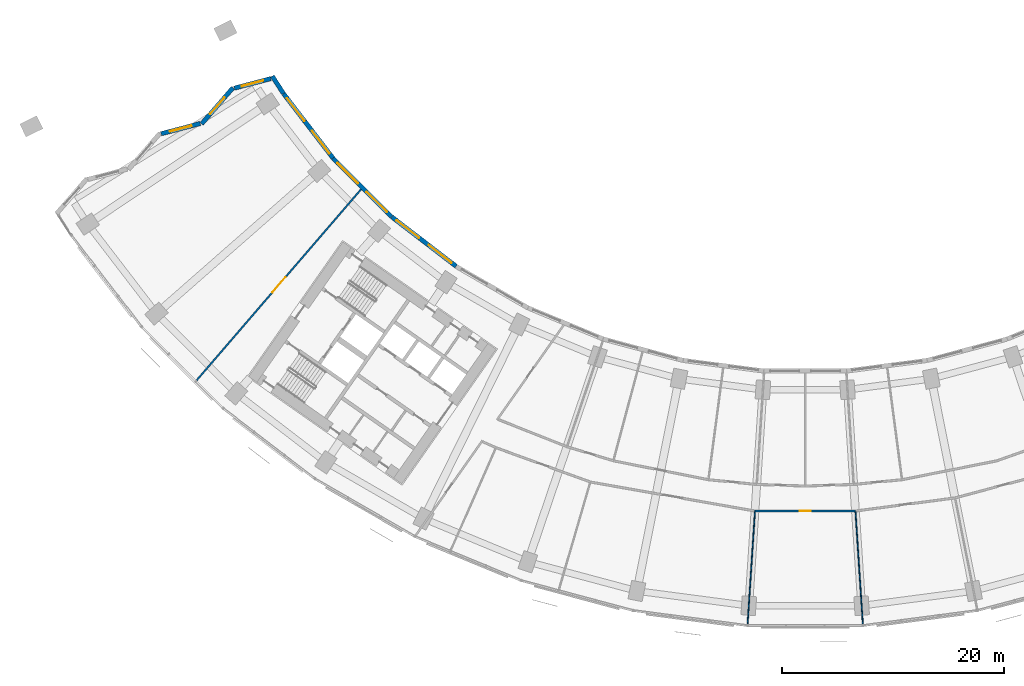
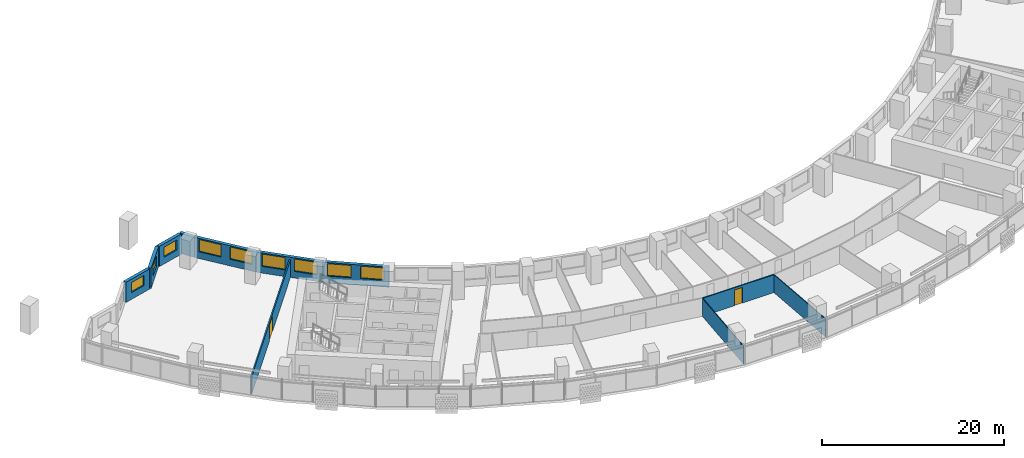
# One storey, part 5 of 31: 11 walls, 9 windows, 2 doors, 11 openings.
"""IFC4 building model written with IfcOpenShell, lengths in metres."""

from ifc_helpers import new_model, si_unit, direction, frame, frame_2d, origin, place, context, subcontext, project, spatial, rectangle, extrude, material, layer, layer_set, type_object, element, fill, save


model = new_model("IFC4")

# Units and contexts
model_context = context("Model", 3, precision=1e-05, world=origin(), true_north=direction((0.0, 1.0)))
body_context = subcontext(model_context, "Body", "Model", "MODEL_VIEW")
ifc_project = project(units=[si_unit("LENGTHUNIT", "METRE"), si_unit("AREAUNIT", "SQUARE_METRE"), si_unit("VOLUMEUNIT", "CUBIC_METRE"), si_unit("PLANEANGLEUNIT", "RADIAN"), si_unit("MASSUNIT", "GRAM", prefix="KILO")], contexts=[model_context])

# Site, building, storey
site_placement = place(None, origin())
site = spatial("IfcSite", under=ifc_project, at=site_placement, CompositionType="ELEMENT")
building_placement = place(site_placement, origin())
building = spatial("IfcBuilding", under=site, at=building_placement, Name="Qamariyya Broadcast Tower", CompositionType="ELEMENT")
storey_placement = place(building_placement, frame((0.0, 0.0, 59.5)))
storey = spatial("IfcBuildingStorey", under=building, at=storey_placement, Name="L11", CompositionType="ELEMENT", Elevation=59.5)

# Wall, opening, door
ifc_material_1 = material(Name="Gypsum board partition")
ifc_layer_1 = layer(ifc_material_1, 0.14990234375)
ifc_layer_set_1 = layer_set([ifc_layer_1], Name="Corridor partition 150 EI 60")
wall_type_1 = type_object("IfcWallType", Name="Corridor partition 150 EI 60", PredefinedType="PARTITIONING", material=ifc_layer_set_1)
wall_1_placement = place(storey_placement, frame((-54.842041015625, -57.27685546875, 0.0), z_axis=(0.0, 0.0, 1.0), x_axis=(0.652471531746, 0.757813235739, 0.0)))
wall_1 = element("IfcWall", 1, at=wall_1_placement, inside=storey, type_object=wall_type_1, Name="Partition L11-001", PredefinedType="PARTITIONING", context=body_context, shape_type="SweptSolid", body=[
    extrude(rectangle(XDim=22.71484375, YDim=0.14990234375, at=frame_2d((11.357421875, 0.0))), origin(), (0.0, 0.0, 1.0), 2.39990234375),
])
opening_1_placement = place(wall_1_placement, frame((10.45751953125, 0.0, 0.0)))
opening_1 = element("IfcOpeningElement", 2, at=opening_1_placement, cuts=wall_1, Name="Opening L11-D16", PredefinedType="OPENING", context=body_context, shape_type="SweptSolid", body=[
    extrude(rectangle(XDim=1.800048828125, YDim=2.10009765625, at=frame_2d((0.89990234375, 1.050048828125))), frame((0.0, 0.0849609375, 0.0), z_axis=(0.0, -1.0, 0.0), x_axis=(1.0, 0.0, 0.0)), (0.0, 0.0, 1.0), 0.169921875),
])
ifc_material_2 = material(Name="Timber fire door leaf", Category="wood")
door_type_1 = type_object("IfcDoorType", Name="Double fire door 1800 x 2100 FD60", OperationType="NOTDEFINED", PredefinedType="DOOR", material=ifc_material_2)
door_1_placement = place(opening_1_placement, origin())
door_1 = element("IfcDoor", 3, at=door_1_placement, inside=storey, type_object=door_type_1, Name="Door L11-D16", OperationType="DOUBLE_DOOR_SINGLE_SWING", OverallHeight=2.10009765625, OverallWidth=1.800048828125, PredefinedType="DOOR", context=body_context, shape_type="SweptSolid", body=[
    extrude(rectangle(XDim=1.800048828125, YDim=2.10009765625, at=frame_2d((0.89990234375, 1.050048828125))), frame((0.0, 0.02490234375, 0.0), z_axis=(0.0, -1.0, 0.0), x_axis=(1.0, 0.0, 0.0)), (0.0, 0.0, 1.0), 0.050048828125),
])
fill(opening_1, door_1)

wall_2_placement = place(storey_placement, frame((4.52587890625, -69.0517578125, 0.0), z_axis=(0.0, 0.0, 1.0), x_axis=(-1.0, 0.0, 0.0)))
wall_2 = element("IfcWall", 4, at=wall_2_placement, inside=storey, type_object=wall_type_1, Name="Partition L11-017", PredefinedType="PARTITIONING", context=body_context, shape_type="SweptSolid", body=[
    extrude(rectangle(XDim=9.0517578125, YDim=0.14990234375, at=frame_2d((4.52587890625, 0.0))), origin(), (0.0, 0.0, 1.0), 2.39990234375),
])
opening_2_placement = place(wall_2_placement, frame((4.02587890625, 0.0, 0.0)))
opening_2 = element("IfcOpeningElement", 5, at=opening_2_placement, cuts=wall_2, Name="Opening L11-D04", PredefinedType="OPENING", context=body_context, shape_type="SweptSolid", body=[
    extrude(rectangle(XDim=1.0, YDim=2.10009765625, at=frame_2d((0.5, 1.050048828125))), frame((0.0, 0.0849609375, 0.0), z_axis=(0.0, -1.0, 0.0), x_axis=(1.0, 0.0, 0.0)), (0.0, 0.0, 1.0), 0.169921875),
])
door_type_2 = type_object("IfcDoorType", Name="Fire door 1000 x 2100 FD60", OperationType="NOTDEFINED", PredefinedType="DOOR", material=ifc_material_2)
door_2_placement = place(opening_2_placement, origin())
door_2 = element("IfcDoor", 6, at=door_2_placement, inside=storey, type_object=door_type_2, Name="Door L11-D04", OperationType="SINGLE_SWING_RIGHT", OverallHeight=2.10009765625, OverallWidth=1.0, PredefinedType="DOOR", context=body_context, shape_type="SweptSolid", body=[
    extrude(rectangle(XDim=1.0, YDim=2.10009765625, at=frame_2d((0.5, 1.050048828125))), frame((0.0, 0.02490234375, 0.0), z_axis=(0.0, -1.0, 0.0), x_axis=(1.0, 0.0, 0.0)), (0.0, 0.0, 1.0), 0.050048828125),
])
fill(opening_2, door_2)

# Walls
ifc_layer_2 = layer(ifc_material_1, 0.10009765625)
ifc_layer_set_2 = layer_set([ifc_layer_2], Name="Partition 100")
wall_type_2 = type_object("IfcWallType", Name="Partition 100", PredefinedType="PARTITIONING", material=ifc_layer_set_2)
for number, where, z_axis, x_axis, name in (
    (7, (-5.1962890625, -79.27978515625, 0.0), (0.0, 0.0, 1.0), (0.065408959123, 0.99785854111, 0.0), "Partition L11-016"),
    (8, (5.1962890625, -79.27978515625, 0.0), (0.0, 0.0, 1.0), (-0.065408959123, 0.99785854111, 0.0), "Partition L11-025"),
):
    element("IfcWall", number, at=place(storey_placement, frame(where, z_axis=z_axis, x_axis=x_axis)), inside=storey, type_object=wall_type_2, Name=name, PredefinedType="PARTITIONING", context=body_context, shape_type="SweptSolid", body=[
        extrude(rectangle(XDim=10.1748046875, YDim=0.10009765625, at=frame_2d((5.08740234375, 0.0))), origin(), (0.0, 0.0, 1.0), 2.39990234375),
    ])

# Wall, opening, window
ifc_material_3 = material(Name="Terracotta", Category="masonry")
ifc_layer_3 = layer(ifc_material_3, 0.39990234375)
ifc_layer_set_3 = layer_set([ifc_layer_3], Name="Terracotta clad wall 400")
wall_type_3 = type_object("IfcWallType", Name="Terracotta clad wall 400", PredefinedType="SOLIDWALL", material=ifc_layer_set_3)
wall_3_placement = place(storey_placement, frame((-48.160400390625, -30.0859375, 0.0), z_axis=(0.0, 0.0, 1.0), x_axis=(-0.967281071353, -0.25370717176, 0.0)))
wall_3 = element("IfcWall", 9, at=wall_3_placement, inside=storey, type_object=wall_type_3, Name="e-wl-L11-capW0", PredefinedType="SOLIDWALL", context=body_context, shape_type="SweptSolid", body=[
    extrude(rectangle(XDim=3.39404296875, YDim=0.39990234375, at=frame_2d((1.697021484375, 0.0))), origin(), (0.0, 0.0, 1.0), 2.699951171875),
])
opening_3_placement = place(wall_3_placement, frame((0.697021484375, 0.0, 0.89990234375)))
opening_3 = element("IfcOpeningElement", 10, at=opening_3_placement, cuts=wall_3, Name="Opening W4", PredefinedType="OPENING", context=body_context, shape_type="SweptSolid", body=[
    extrude(rectangle(XDim=2.0, YDim=1.35009765625, at=frame_2d((1.0, 0.675048828125))), frame((0.0, 0.2099609375, 0.0), z_axis=(0.0, -1.0, 0.0), x_axis=(1.0, 0.0, 0.0)), (0.0, 0.0, 1.0), 0.419921875),
])
ifc_material_4 = material(Name="Clear low-e double glazed unit in aluminium frame", Category="aluminium")
window_type_1 = type_object("IfcWindowType", Name="Horn bay window 2000 x 1350", PartitioningType="SINGLE_PANEL", PredefinedType="WINDOW", material=ifc_material_4)
window_1_placement = place(opening_3_placement, origin())
window_1 = element("IfcWindow", 11, at=window_1_placement, inside=storey, type_object=window_type_1, Name="e-w-L11-capW0", OverallHeight=1.35009765625, OverallWidth=2.0, PartitioningType="SINGLE_PANEL", PredefinedType="WINDOW", context=body_context, shape_type="SweptSolid", body=[
    extrude(rectangle(XDim=2.0, YDim=1.35009765625, at=frame_2d((1.0, 0.675048828125))), frame((0.0, 0.030029296875, 0.0), z_axis=(0.0, -1.0, 0.0), x_axis=(1.0, 0.0, 0.0)), (0.0, 0.0, 1.0), 0.06005859375),
])
fill(opening_3, window_1)

wall_4_placement = place(storey_placement, frame((-51.56787109375, -30.91552734375, 0.0), z_axis=(0.0, 0.0, 1.0), x_axis=(-0.65553829601, -0.755161931286, 0.0)))
wall_4 = element("IfcWall", 12, at=wall_4_placement, inside=storey, type_object=wall_type_3, Name="e-wl-L11-capW1", PredefinedType="SOLIDWALL", context=body_context, shape_type="SweptSolid", body=[
    extrude(rectangle(XDim=4.2958984375, YDim=0.39990234375, at=frame_2d((2.14794921875, 0.0))), origin(), (0.0, 0.0, 1.0), 2.699951171875),
])
opening_4_placement = place(wall_4_placement, frame((1.14794921875, 0.0, 0.89990234375)))
opening_4 = element("IfcOpeningElement", 13, at=opening_4_placement, cuts=wall_4, Name="Opening W4", PredefinedType="OPENING", context=body_context, shape_type="SweptSolid", body=[
    extrude(rectangle(XDim=2.0, YDim=1.35009765625, at=frame_2d((1.0, 0.675048828125))), frame((0.0, 0.2099609375, 0.0), z_axis=(0.0, -1.0, 0.0), x_axis=(1.0, 0.0, 0.0)), (0.0, 0.0, 1.0), 0.419921875),
])
window_2_placement = place(opening_4_placement, origin())
window_2 = element("IfcWindow", 14, at=window_2_placement, inside=storey, type_object=window_type_1, Name="e-w-L11-capW1", OverallHeight=1.35009765625, OverallWidth=2.0, PartitioningType="SINGLE_PANEL", PredefinedType="WINDOW", context=body_context, shape_type="SweptSolid", body=[
    extrude(rectangle(XDim=2.0, YDim=1.35009765625, at=frame_2d((1.0, 0.675048828125))), frame((0.0, 0.030029296875, 0.0), z_axis=(0.0, -1.0, 0.0), x_axis=(1.0, 0.0, 0.0)), (0.0, 0.0, 1.0), 0.06005859375),
])
fill(opening_4, window_2)

wall_5_placement = place(storey_placement, frame((-54.5087890625, -34.128173828125, 0.0), z_axis=(0.0, 0.0, 1.0), x_axis=(-0.967253768322, -0.253811244168, 0.0)))
wall_5 = element("IfcWall", 15, at=wall_5_placement, inside=storey, type_object=wall_type_3, Name="e-wl-L11-capW2", PredefinedType="SOLIDWALL", context=body_context, shape_type="SweptSolid", body=[
    extrude(rectangle(XDim=3.6474609375, YDim=0.39990234375, at=frame_2d((1.82373046875, 0.0))), origin(), (0.0, 0.0, 1.0), 2.699951171875),
])
opening_5_placement = place(wall_5_placement, frame((0.82373046875, 0.0, 0.89990234375)))
opening_5 = element("IfcOpeningElement", 16, at=opening_5_placement, cuts=wall_5, Name="Opening W4", PredefinedType="OPENING", context=body_context, shape_type="SweptSolid", body=[
    extrude(rectangle(XDim=2.0, YDim=1.35009765625, at=frame_2d((1.0, 0.675048828125))), frame((0.0, 0.2099609375, 0.0), z_axis=(0.0, -1.0, 0.0), x_axis=(1.0, 0.0, 0.0)), (0.0, 0.0, 1.0), 0.419921875),
])
window_3_placement = place(opening_5_placement, origin())
window_3 = element("IfcWindow", 17, at=window_3_placement, inside=storey, type_object=window_type_1, Name="e-w-L11-capW2", OverallHeight=1.35009765625, OverallWidth=2.0, PartitioningType="SINGLE_PANEL", PredefinedType="WINDOW", context=body_context, shape_type="SweptSolid", body=[
    extrude(rectangle(XDim=2.0, YDim=1.35009765625, at=frame_2d((1.0, 0.675048828125))), frame((0.0, 0.030029296875, 0.0), z_axis=(0.0, -1.0, 0.0), x_axis=(1.0, 0.0, 0.0)), (0.0, 0.0, 1.0), 0.06005859375),
])
fill(opening_5, window_3)

# Wall
wall_6_placement = place(storey_placement, frame((-47.0087890625, -31.434326171875, 0.0), z_axis=(0.0, 0.0, 1.0), x_axis=(-0.542254746732, 0.84021413321, 0.0)))
element("IfcWall", 18, at=wall_6_placement, inside=storey, type_object=wall_type_3, Name="e-wl-L11-in00", PredefinedType="SOLIDWALL", context=body_context, shape_type="SweptSolid", body=[
    extrude(rectangle(XDim=1.869873046875, YDim=0.39990234375, at=frame_2d((0.93505859375, 0.0))), origin(), (0.0, 0.0, 1.0), 2.699951171875),
])

# Wall, openings, windows
wall_7_placement = place(storey_placement, frame((-42.5478515625, -37.24609375, 0.0), z_axis=(0.0, 0.0, 1.0), x_axis=(-0.608748398091, 0.793363339096, 0.0)))
wall_7 = element("IfcWall", 19, at=wall_7_placement, inside=storey, type_object=wall_type_3, Name="e-wl-L11-in10", PredefinedType="SOLIDWALL", context=body_context, shape_type="SweptSolid", body=[
    extrude(rectangle(XDim=7.310302734375, YDim=0.39990234375, at=frame_2d((3.6552734375, 0.0))), origin(), (0.0, 0.0, 1.0), 2.699951171875),
])
opening_6_placement = place(wall_7_placement, frame((4.190673828125, 0.0, 0.89990234375)))
opening_6 = element("IfcOpeningElement", 20, at=opening_6_placement, cuts=wall_7, Name="Opening W1", PredefinedType="OPENING", context=body_context, shape_type="SweptSolid", body=[
    extrude(rectangle(XDim=2.60009765625, YDim=1.64990234375, at=frame_2d((1.300048828125, 0.824951171875))), frame((0.0, 0.2099609375, 0.0), z_axis=(0.0, -1.0, 0.0), x_axis=(1.0, 0.0, 0.0)), (0.0, 0.0, 1.0), 0.419921875),
])
opening_7_placement = place(wall_7_placement, frame((0.505126953125, 0.0, 0.89990234375)))
opening_7 = element("IfcOpeningElement", 21, at=opening_7_placement, cuts=wall_7, Name="Opening W1", PredefinedType="OPENING", context=body_context, shape_type="SweptSolid", body=[
    extrude(rectangle(XDim=2.60009765625, YDim=1.64990234375, at=frame_2d((1.300048828125, 0.824951171875))), frame((0.0, 0.2099609375, 0.0), z_axis=(0.0, -1.0, 0.0), x_axis=(1.0, 0.0, 0.0)), (0.0, 0.0, 1.0), 0.419921875),
])
window_type_2 = type_object("IfcWindowType", Name="Ribbon window 2600 x 1650", PartitioningType="SINGLE_PANEL", PredefinedType="WINDOW", material=ifc_material_4)
window_4_placement = place(opening_6_placement, origin())
window_4 = element("IfcWindow", 22, at=window_4_placement, inside=storey, type_object=window_type_2, Name="e-w-L11-in01-0", OverallHeight=1.64990234375, OverallWidth=2.60009765625, PartitioningType="SINGLE_PANEL", PredefinedType="WINDOW", context=body_context, shape_type="SweptSolid", body=[
    extrude(rectangle(XDim=2.60009765625, YDim=1.64990234375, at=frame_2d((1.300048828125, 0.824951171875))), frame((0.0, 0.030029296875, 0.0), z_axis=(0.0, -1.0, 0.0), x_axis=(1.0, 0.0, 0.0)), (0.0, 0.0, 1.0), 0.06005859375),
])
fill(opening_6, window_4)
window_5_placement = place(opening_7_placement, origin())
window_5 = element("IfcWindow", 23, at=window_5_placement, inside=storey, type_object=window_type_2, Name="e-w-L11-in01-1", OverallHeight=1.64990234375, OverallWidth=2.60009765625, PartitioningType="SINGLE_PANEL", PredefinedType="WINDOW", context=body_context, shape_type="SweptSolid", body=[
    extrude(rectangle(XDim=2.60009765625, YDim=1.64990234375, at=frame_2d((1.300048828125, 0.824951171875))), frame((0.0, 0.030029296875, 0.0), z_axis=(0.0, -1.0, 0.0), x_axis=(1.0, 0.0, 0.0)), (0.0, 0.0, 1.0), 0.06005859375),
])
fill(opening_7, window_5)

wall_8_placement = place(storey_placement, frame((-37.2685546875, -42.534423828125, 0.0), z_axis=(0.0, 0.0, 1.0), x_axis=(-0.707106781187, 0.707106781187, 0.0)))
wall_8 = element("IfcWall", 24, at=wall_8_placement, inside=storey, type_object=wall_type_3, Name="e-wl-L11-in20", PredefinedType="SOLIDWALL", context=body_context, shape_type="SweptSolid", body=[
    extrude(rectangle(XDim=7.447021484375, YDim=0.39990234375, at=frame_2d((3.7236328125, 0.0))), origin(), (0.0, 0.0, 1.0), 2.699951171875),
])
opening_8_placement = place(wall_8_placement, frame((4.266357421875, 0.0, 0.89990234375)))
opening_8 = element("IfcOpeningElement", 25, at=opening_8_placement, cuts=wall_8, Name="Opening W1", PredefinedType="OPENING", context=body_context, shape_type="SweptSolid", body=[
    extrude(rectangle(XDim=2.60009765625, YDim=1.64990234375, at=frame_2d((1.300048828125, 0.824951171875))), frame((0.0, 0.2099609375, 0.0), z_axis=(0.0, -1.0, 0.0), x_axis=(1.0, 0.0, 0.0)), (0.0, 0.0, 1.0), 0.419921875),
])
opening_9_placement = place(wall_8_placement, frame((0.580810546875, 0.0, 0.89990234375)))
opening_9 = element("IfcOpeningElement", 26, at=opening_9_placement, cuts=wall_8, Name="Opening W1", PredefinedType="OPENING", context=body_context, shape_type="SweptSolid", body=[
    extrude(rectangle(XDim=2.60009765625, YDim=1.64990234375, at=frame_2d((1.300048828125, 0.824951171875))), frame((0.0, 0.2099609375, 0.0), z_axis=(0.0, -1.0, 0.0), x_axis=(1.0, 0.0, 0.0)), (0.0, 0.0, 1.0), 0.419921875),
])
window_6_placement = place(opening_8_placement, origin())
window_6 = element("IfcWindow", 27, at=window_6_placement, inside=storey, type_object=window_type_2, Name="e-w-L11-in02-0", OverallHeight=1.64990234375, OverallWidth=2.60009765625, PartitioningType="SINGLE_PANEL", PredefinedType="WINDOW", context=body_context, shape_type="SweptSolid", body=[
    extrude(rectangle(XDim=2.60009765625, YDim=1.64990234375, at=frame_2d((1.300048828125, 0.824951171875))), frame((0.0, 0.030029296875, 0.0), z_axis=(0.0, -1.0, 0.0), x_axis=(1.0, 0.0, 0.0)), (0.0, 0.0, 1.0), 0.06005859375),
])
fill(opening_8, window_6)
window_7_placement = place(opening_9_placement, origin())
window_7 = element("IfcWindow", 28, at=window_7_placement, inside=storey, type_object=window_type_2, Name="e-w-L11-in02-1", OverallHeight=1.64990234375, OverallWidth=2.60009765625, PartitioningType="SINGLE_PANEL", PredefinedType="WINDOW", context=body_context, shape_type="SweptSolid", body=[
    extrude(rectangle(XDim=2.60009765625, YDim=1.64990234375, at=frame_2d((1.300048828125, 0.824951171875))), frame((0.0, 0.030029296875, 0.0), z_axis=(0.0, -1.0, 0.0), x_axis=(1.0, 0.0, 0.0)), (0.0, 0.0, 1.0), 0.06005859375),
])
fill(opening_9, window_7)

wall_9_placement = place(storey_placement, frame((-31.4580078125, -46.989013671875, 0.0), z_axis=(0.0, 0.0, 1.0), x_axis=(-0.79336607943, 0.60874482668, 0.0)))
wall_9 = element("IfcWall", 29, at=wall_9_placement, inside=storey, type_object=wall_type_3, Name="e-wl-L11-in30", PredefinedType="SOLIDWALL", context=body_context, shape_type="SweptSolid", body=[
    extrude(rectangle(XDim=7.295654296875, YDim=0.39990234375, at=frame_2d((3.64794921875, 0.0))), origin(), (0.0, 0.0, 1.0), 2.699951171875),
])
opening_10_placement = place(wall_9_placement, frame((4.190673828125, 0.0, 0.89990234375)))
opening_10 = element("IfcOpeningElement", 30, at=opening_10_placement, cuts=wall_9, Name="Opening W1", PredefinedType="OPENING", context=body_context, shape_type="SweptSolid", body=[
    extrude(rectangle(XDim=2.60009765625, YDim=1.64990234375, at=frame_2d((1.300048828125, 0.824951171875))), frame((0.0, 0.2099609375, 0.0), z_axis=(0.0, -1.0, 0.0), x_axis=(1.0, 0.0, 0.0)), (0.0, 0.0, 1.0), 0.419921875),
])
opening_11_placement = place(wall_9_placement, frame((0.505126953125, 0.0, 0.89990234375)))
opening_11 = element("IfcOpeningElement", 31, at=opening_11_placement, cuts=wall_9, Name="Opening W1", PredefinedType="OPENING", context=body_context, shape_type="SweptSolid", body=[
    extrude(rectangle(XDim=2.60009765625, YDim=1.64990234375, at=frame_2d((1.300048828125, 0.824951171875))), frame((0.0, 0.2099609375, 0.0), z_axis=(0.0, -1.0, 0.0), x_axis=(1.0, 0.0, 0.0)), (0.0, 0.0, 1.0), 0.419921875),
])
window_8_placement = place(opening_10_placement, origin())
window_8 = element("IfcWindow", 32, at=window_8_placement, inside=storey, type_object=window_type_2, Name="e-w-L11-in03-0", OverallHeight=1.64990234375, OverallWidth=2.60009765625, PartitioningType="SINGLE_PANEL", PredefinedType="WINDOW", context=body_context, shape_type="SweptSolid", body=[
    extrude(rectangle(XDim=2.60009765625, YDim=1.64990234375, at=frame_2d((1.300048828125, 0.824951171875))), frame((0.0, 0.030029296875, 0.0), z_axis=(0.0, -1.0, 0.0), x_axis=(1.0, 0.0, 0.0)), (0.0, 0.0, 1.0), 0.06005859375),
])
fill(opening_10, window_8)
window_9_placement = place(opening_11_placement, origin())
window_9 = element("IfcWindow", 33, at=window_9_placement, inside=storey, type_object=window_type_2, Name="e-w-L11-in03-1", OverallHeight=1.64990234375, OverallWidth=2.60009765625, PartitioningType="SINGLE_PANEL", PredefinedType="WINDOW", context=body_context, shape_type="SweptSolid", body=[
    extrude(rectangle(XDim=2.60009765625, YDim=1.64990234375, at=frame_2d((1.300048828125, 0.824951171875))), frame((0.0, 0.030029296875, 0.0), z_axis=(0.0, -1.0, 0.0), x_axis=(1.0, 0.0, 0.0)), (0.0, 0.0, 1.0), 0.06005859375),
])
fill(opening_11, window_9)

save(model, "model.ifc")
